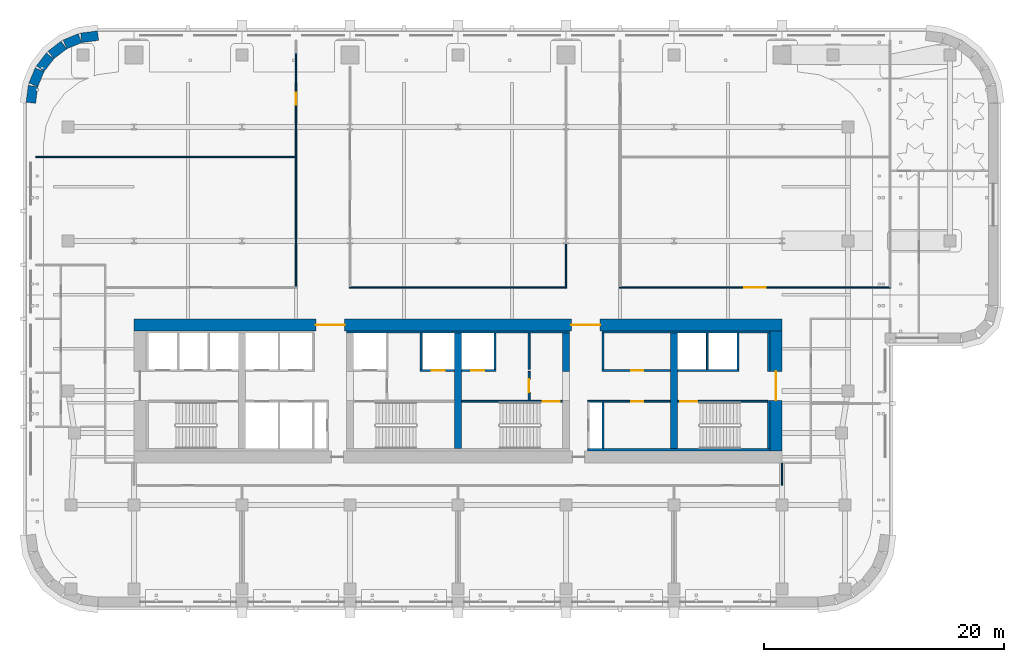
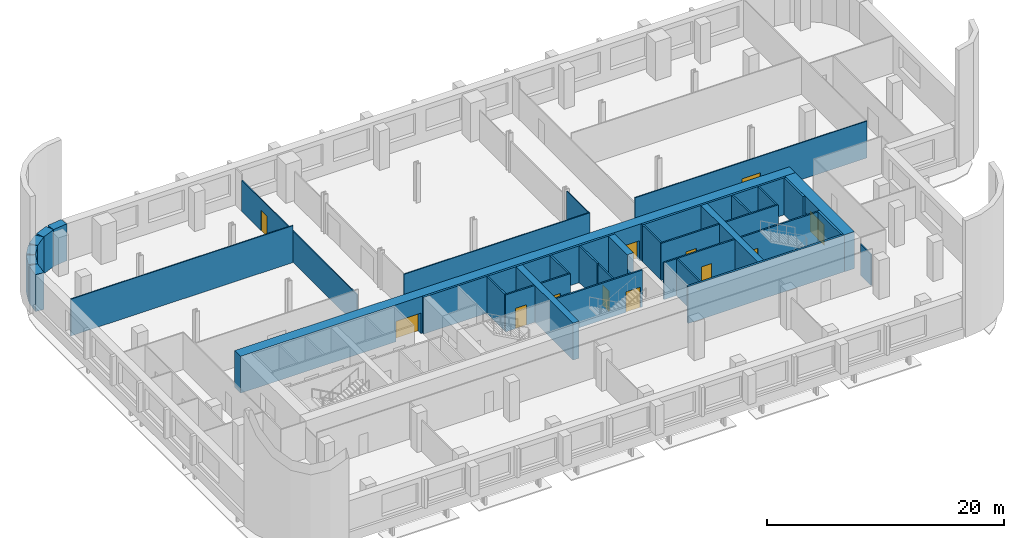
# One storey, part 5 of 13: 37 walls, 12 doors, 12 openings.
"""IFC4 building model written with IfcOpenShell, lengths in metres."""

from ifc_helpers import new_model, si_unit, direction, frame, frame_2d, origin, place, context, subcontext, project, spatial, rectangle, extrude, material, layer, layer_set, type_object, element, fill, save


model = new_model("IFC4")

# Units and contexts
model_context = context("Model", 3, precision=1e-05, world=origin(), true_north=direction((0.0, 1.0)))
body_context = subcontext(model_context, "Body", "Model", "MODEL_VIEW")
ifc_project = project(units=[si_unit("LENGTHUNIT", "METRE"), si_unit("AREAUNIT", "SQUARE_METRE"), si_unit("VOLUMEUNIT", "CUBIC_METRE"), si_unit("PLANEANGLEUNIT", "RADIAN"), si_unit("MASSUNIT", "GRAM", prefix="KILO")], contexts=[model_context])

# Site, building, storey
site_placement = place(None, origin())
site = spatial("IfcSite", under=ifc_project, at=site_placement, CompositionType="ELEMENT")
building_placement = place(site_placement, origin())
building = spatial("IfcBuilding", under=site, at=building_placement, Name="Zellij Exchange Tower", CompositionType="ELEMENT")
storey_placement = place(building_placement, frame((0.0, 0.0, 108.5)))
storey = spatial("IfcBuildingStorey", under=building, at=storey_placement, Name="L23", CompositionType="ELEMENT", Elevation=108.5)

# Walls
ifc_material_1 = material(Name="Concrete C70/85", Category="concrete")
ifc_layer_1 = layer(ifc_material_1, 0.60009765625)
ifc_layer_set_1 = layer_set([ifc_layer_1], Name="Concrete C70/85")
wall_type_1 = type_object("IfcWallType", Name="CORE-CW 600 C70/85", PredefinedType="SHEAR", material=ifc_layer_set_1)
wall_1_placement = place(storey_placement, frame((0.0, -12.800048828125, 0.0), z_axis=(0.0, 0.0, 1.0), x_axis=(0.0, 1.0, 0.0)))
element("IfcWall", 1, at=wall_1_placement, inside=storey, type_object=wall_type_1, Name="Core cross wall x 0 L23", PredefinedType="SHEAR", context=body_context, shape_type="SweptSolid", body=[
    extrude(rectangle(XDim=9.60009765625, YDim=0.60009765625, at=frame_2d((4.800048828125, 0.0))), origin(), (0.0, 0.0, 1.0), 3.800048828125),
])
wall_2_placement = place(storey_placement, frame((9.0, -6.375, 0.0), z_axis=(0.0, 0.0, 1.0), x_axis=(0.0, 1.0, 0.0)))
element("IfcWall", 2, at=wall_2_placement, inside=storey, type_object=wall_type_1, Name="Core cross wall pier x 9 b L23", PredefinedType="SHEAR", context=body_context, shape_type="SweptSolid", body=[
    extrude(rectangle(XDim=3.175048828125, YDim=0.60009765625, at=frame_2d((1.58740234375, 0.0))), origin(), (0.0, 0.0, 1.0), 3.800048828125),
])
wall_3_placement = place(storey_placement, frame((18.0, -12.800048828125, 0.0), z_axis=(0.0, 0.0, 1.0), x_axis=(0.0, 1.0, 0.0)))
element("IfcWall", 3, at=wall_3_placement, inside=storey, type_object=wall_type_1, Name="Core cross wall x 18 L23", PredefinedType="SHEAR", context=body_context, shape_type="SweptSolid", body=[
    extrude(rectangle(XDim=9.60009765625, YDim=0.60009765625, at=frame_2d((4.800048828125, 0.0))), origin(), (0.0, 0.0, 1.0), 3.800048828125),
])
ifc_material_2 = material(Name="Concrete C30/37", Category="concrete")
ifc_layer_2 = layer(ifc_material_2, 0.199951171875)
ifc_layer_set_2 = layer_set([ifc_layer_2], Name="Concrete C30/37")
wall_type_2 = type_object("IfcWallType", Name="CORE-LW 200 C30/37", PredefinedType="SHEAR", material=ifc_layer_set_2)
wall_4_placement = place(storey_placement, frame((-9.300048828125, -3.10009765625, 0.0), z_axis=(0.0, 0.0, 1.0), x_axis=(1.0, 0.0, 0.0)))
element("IfcWall", 4, at=wall_4_placement, inside=storey, type_object=wall_type_2, Name="Core wall lining front.1 L23", PredefinedType="SHEAR", context=body_context, shape_type="SweptSolid", body=[
    extrude(rectangle(XDim=18.60009765625, YDim=0.199951171875, at=frame_2d((9.300048828125, 0.0))), origin(), (0.0, 0.0, 1.0), 3.800048828125),
])
wall_5_placement = place(storey_placement, frame((12.0, -3.10009765625, 0.0), z_axis=(0.0, 0.0, 1.0), x_axis=(1.0, 0.0, 0.0)))
element("IfcWall", 5, at=wall_5_placement, inside=storey, type_object=wall_type_2, Name="Core wall lining front.2 L23", PredefinedType="SHEAR", context=body_context, shape_type="SweptSolid", body=[
    extrude(rectangle(XDim=14.0, YDim=0.199951171875, at=frame_2d((7.0, 0.0))), origin(), (0.0, 0.0, 1.0), 3.800048828125),
])
wall_6_placement = place(storey_placement, frame((10.800048828125, -12.89990234375, 0.0), z_axis=(0.0, 0.0, 1.0), x_axis=(1.0, 0.0, 0.0)))
element("IfcWall", 6, at=wall_6_placement, inside=storey, type_object=wall_type_2, Name="Core wall lining rear.2 L23", PredefinedType="SHEAR", context=body_context, shape_type="SweptSolid", body=[
    extrude(rectangle(XDim=15.199951171875, YDim=0.199951171875, at=frame_2d((7.60009765625, 0.0))), origin(), (0.0, 0.0, 1.0), 3.800048828125),
])
wall_7_placement = place(storey_placement, frame((25.89990234375, -12.800048828125, 0.0), z_axis=(0.0, 0.0, 1.0), x_axis=(0.0, 1.0, 0.0)))
element("IfcWall", 7, at=wall_7_placement, inside=storey, type_object=wall_type_2, Name="Core wall lining end e.0 L23", PredefinedType="SHEAR", context=body_context, shape_type="SweptSolid", body=[
    extrude(rectangle(XDim=4.0, YDim=0.199951171875, at=frame_2d((2.0, 0.0))), origin(), (0.0, 0.0, 1.0), 3.800048828125),
])
wall_8_placement = place(storey_placement, frame((25.89990234375, -6.375, 0.0), z_axis=(0.0, 0.0, 1.0), x_axis=(0.0, 1.0, 0.0)))
element("IfcWall", 8, at=wall_8_placement, inside=storey, type_object=wall_type_2, Name="Core wall lining end e.1 L23", PredefinedType="SHEAR", context=body_context, shape_type="SweptSolid", body=[
    extrude(rectangle(XDim=3.175048828125, YDim=0.199951171875, at=frame_2d((1.58740234375, 0.0))), origin(), (0.0, 0.0, 1.0), 3.800048828125),
])

# Wall, opening, door
ifc_material_3 = material(Name="Gypsum shaft wall system")
ifc_layer_3 = layer(ifc_material_3, 0.14990234375)
ifc_layer_set_3 = layer_set([ifc_layer_3], Name="Gypsum shaft wall system")
wall_type_3 = type_object("IfcWallType", Name="CORE-PW 150 Firefighting lobby wall", PredefinedType="PARTITIONING", material=ifc_layer_set_3)
wall_9_placement = place(storey_placement, frame((5.925048828125, -8.800048828125, 0.0), z_axis=(0.0, 0.0, 1.0), x_axis=(0.0, 1.0, 0.0)))
wall_9 = element("IfcWall", 9, at=wall_9_placement, inside=storey, type_object=wall_type_3, Name="Firefighting lobby wall L23", PredefinedType="PARTITIONING", context=body_context, shape_type="SweptSolid", body=[
    extrude(rectangle(XDim=2.425048828125, YDim=0.14990234375, at=frame_2d((1.21240234375, 0.0))), origin(), (0.0, 0.0, 1.0), 3.800048828125),
])
opening_1_placement = place(wall_9_placement, frame((0.662109375, 0.0, 0.0)))
opening_1 = element("IfcOpeningElement", 10, at=opening_1_placement, cuts=wall_9, Name="Opening CA-13.18", PredefinedType="OPENING", context=body_context, shape_type="SweptSolid", body=[
    extrude(rectangle(XDim=1.10009765625, YDim=2.10009765625, at=frame_2d((0.550048828125, 1.050048828125))), frame((0.0, 0.0869140625, 0.0), z_axis=(0.0, -1.0, 0.0), x_axis=(1.0, 0.0, 0.0)), (0.0, 0.0, 1.0), 0.173828125),
])
ifc_material_4 = material(Name="Hollow metal fire door")
door_type_1 = type_object("IfcDoorType", Name="CORE-D F Firefighting lobby door 1100x2100 1 HR", OperationType="NOTDEFINED", PredefinedType="DOOR", material=ifc_material_4)
door_1_placement = place(opening_1_placement, origin())
door_1 = element("IfcDoor", 11, at=door_1_placement, inside=storey, type_object=door_type_1, Name="Firefighting lobby door CA-13.18", OperationType="SINGLE_SWING_RIGHT", OverallHeight=2.10009765625, OverallWidth=1.10009765625, PredefinedType="DOOR", context=body_context, shape_type="SweptSolid", body=[
    extrude(rectangle(XDim=1.10009765625, YDim=2.10009765625, at=frame_2d((0.550048828125, 1.050048828125))), frame((0.0, 0.02490234375, 0.0), z_axis=(0.0, -1.0, 0.0), x_axis=(1.0, 0.0, 0.0)), (0.0, 0.0, 1.0), 0.050048828125),
])
fill(opening_1, door_1)

# Walls
ifc_material_5 = material(Name="Gypsum board partition")
ifc_layer_4 = layer(ifc_material_5, 0.14990234375)
ifc_layer_set_4 = layer_set([ifc_layer_4], Name="Gypsum board partition")
wall_type_4 = type_object("IfcWallType", Name="CORE-PW 150 Lift lobby wall", PredefinedType="PARTITIONING", material=ifc_layer_set_4)
for number, where, z_axis, x_axis, name in (
    (12, (5.925048828125, -6.22509765625, 0.0), (0.0, 0.0, 1.0), (0.0, 1.0, 0.0), "Lift lobby wall L23"),
    (13, (12.074951171875, -6.22509765625, 0.0), (0.0, 0.0, 1.0), (0.0, 1.0, 0.0), "Lift lobby wall L23"),
):
    element("IfcWall", number, at=place(storey_placement, frame(where, z_axis=z_axis, x_axis=x_axis)), inside=storey, type_object=wall_type_4, Name=name, PredefinedType="PARTITIONING", context=body_context, shape_type="SweptSolid", body=[
        extrude(rectangle(XDim=3.025146484375, YDim=0.14990234375, at=frame_2d((1.5126953125, 0.0))), origin(), (0.0, 0.0, 1.0), 3.800048828125),
    ])
wall_10_placement = place(storey_placement, frame((12.074951171875, -12.800048828125, 0.0), z_axis=(0.0, 0.0, 1.0), x_axis=(0.0, 1.0, 0.0)))
element("IfcWall", 14, at=wall_10_placement, inside=storey, type_object=wall_type_4, Name="Lift lobby wall L23", PredefinedType="PARTITIONING", context=body_context, shape_type="SweptSolid", body=[
    extrude(rectangle(XDim=3.85009765625, YDim=0.14990234375, at=frame_2d((1.925048828125, 0.0))), origin(), (0.0, 0.0, 1.0), 3.800048828125),
])

# Wall, opening, door
wall_11_placement = place(storey_placement, frame((12.0, -6.300048828125, 0.0), z_axis=(0.0, 0.0, 1.0), x_axis=(1.0, 0.0, 0.0)))
wall_11 = element("IfcWall", 15, at=wall_11_placement, inside=storey, type_object=wall_type_4, Name="Lift lobby wall L23", PredefinedType="PARTITIONING", context=body_context, shape_type="SweptSolid", body=[
    extrude(rectangle(XDim=5.699951171875, YDim=0.14990234375, at=frame_2d((2.85009765625, 0.0))), origin(), (0.0, 0.0, 1.0), 3.800048828125),
])
opening_2_placement = place(wall_11_placement, frame((2.425048828125, 0.0, 0.0)))
opening_2 = element("IfcOpeningElement", 16, at=opening_2_placement, cuts=wall_11, Name="Opening CA-13.24", PredefinedType="OPENING", context=body_context, shape_type="SweptSolid", body=[
    extrude(rectangle(XDim=1.0, YDim=2.10009765625, at=frame_2d((0.5, 1.050048828125))), frame((0.0, 0.0869140625, 0.0), z_axis=(0.0, -1.0, 0.0), x_axis=(1.0, 0.0, 0.0)), (0.0, 0.0, 1.0), 0.173828125),
])
door_type_2 = type_object("IfcDoorType", Name="CORE-D CD Core room door 1000x2100 1 HR", OperationType="NOTDEFINED", PredefinedType="DOOR", material=ifc_material_4)
door_2_placement = place(opening_2_placement, origin())
door_2 = element("IfcDoor", 17, at=door_2_placement, inside=storey, type_object=door_type_2, Name="Core room door CA-13.24", OperationType="SINGLE_SWING_RIGHT", OverallHeight=2.10009765625, OverallWidth=1.0, PredefinedType="DOOR", context=body_context, shape_type="SweptSolid", body=[
    extrude(rectangle(XDim=1.0, YDim=2.10009765625, at=frame_2d((0.5, 1.050048828125))), frame((0.0, 0.02490234375, 0.0), z_axis=(0.0, -1.0, 0.0), x_axis=(1.0, 0.0, 0.0)), (0.0, 0.0, 1.0), 0.050048828125),
])
fill(opening_2, door_2)

wall_12_placement = place(storey_placement, frame((10.800048828125, -8.875, 0.0), z_axis=(0.0, 0.0, 1.0), x_axis=(1.0, 0.0, 0.0)))
wall_12 = element("IfcWall", 18, at=wall_12_placement, inside=storey, type_object=wall_type_4, Name="Lift lobby wall L23", PredefinedType="PARTITIONING", context=body_context, shape_type="SweptSolid", body=[
    extrude(rectangle(XDim=6.89990234375, YDim=0.14990234375, at=frame_2d((3.449951171875, 0.0))), origin(), (0.0, 0.0, 1.0), 3.800048828125),
])
opening_3_placement = place(wall_12_placement, frame((3.625, 0.0, 0.0)))
opening_3 = element("IfcOpeningElement", 19, at=opening_3_placement, cuts=wall_12, Name="Opening CA-13.23", PredefinedType="OPENING", context=body_context, shape_type="SweptSolid", body=[
    extrude(rectangle(XDim=1.0, YDim=2.10009765625, at=frame_2d((0.5, 1.050048828125))), frame((0.0, 0.0869140625, 0.0), z_axis=(0.0, -1.0, 0.0), x_axis=(1.0, 0.0, 0.0)), (0.0, 0.0, 1.0), 0.173828125),
])
door_3_placement = place(opening_3_placement, origin())
door_3 = element("IfcDoor", 20, at=door_3_placement, inside=storey, type_object=door_type_2, Name="Core room door CA-13.23", OperationType="SINGLE_SWING_LEFT", OverallHeight=2.10009765625, OverallWidth=1.0, PredefinedType="DOOR", context=body_context, shape_type="SweptSolid", body=[
    extrude(rectangle(XDim=1.0, YDim=2.10009765625, at=frame_2d((0.5, 1.050048828125))), frame((0.0, 0.02490234375, 0.0), z_axis=(0.0, -1.0, 0.0), x_axis=(1.0, 0.0, 0.0)), (0.0, 0.0, 1.0), 0.050048828125),
])
fill(opening_3, door_3)

# Walls
ifc_layer_5 = layer(ifc_material_3, 0.14990234375)
ifc_layer_set_5 = layer_set([ifc_layer_5], Name="Gypsum shaft wall system")
wall_type_5 = type_object("IfcWallType", Name="CORE-PW 150 Lift shaft wall", PredefinedType="PARTITIONING", material=ifc_layer_set_5)
for number, where, z_axis, x_axis, name in (
    (21, (-3.074951171875, -6.22509765625, 0.0), (0.0, 0.0, 1.0), (0.0, 1.0, 0.0), "Lift shaft wall L23"),
    (22, (3.074951171875, -6.22509765625, 0.0), (0.0, 0.0, 1.0), (0.0, 1.0, 0.0), "Lift shaft wall L23"),
    (23, (20.77490234375, -6.22509765625, 0.0), (0.0, 0.0, 1.0), (0.0, 1.0, 0.0), "Lift shaft wall L23"),
    (24, (23.324951171875, -6.22509765625, 0.0), (0.0, 0.0, 1.0), (0.0, 1.0, 0.0), "Lift shaft wall L23"),
):
    element("IfcWall", number, at=place(storey_placement, frame(where, z_axis=z_axis, x_axis=x_axis)), inside=storey, type_object=wall_type_5, Name=name, PredefinedType="PARTITIONING", context=body_context, shape_type="SweptSolid", body=[
        extrude(rectangle(XDim=3.025146484375, YDim=0.14990234375, at=frame_2d((1.5126953125, 0.0))), origin(), (0.0, 0.0, 1.0), 3.800048828125),
    ])

# Wall, opening, door
wall_13_placement = place(storey_placement, frame((-3.14990234375, -6.300048828125, 0.0), z_axis=(0.0, 0.0, 1.0), x_axis=(1.0, 0.0, 0.0)))
wall_13 = element("IfcWall", 25, at=wall_13_placement, inside=storey, type_object=wall_type_5, Name="Lift shaft wall L23", PredefinedType="PARTITIONING", context=body_context, shape_type="SweptSolid", body=[
    extrude(rectangle(XDim=2.849853515625, YDim=0.14990234375, at=frame_2d((1.4248046875, 0.0))), origin(), (0.0, 0.0, 1.0), 3.800048828125),
])
opening_4_placement = place(wall_13_placement, frame((0.949951171875, 0.0, 0.0)))
opening_4 = element("IfcOpeningElement", 26, at=opening_4_placement, cuts=wall_13, Name="Opening CA-13.16", PredefinedType="OPENING", context=body_context, shape_type="SweptSolid", body=[
    extrude(rectangle(XDim=1.10009765625, YDim=2.10009765625, at=frame_2d((0.550048828125, 1.050048828125))), frame((0.0, 0.0869140625, 0.0), z_axis=(0.0, -1.0, 0.0), x_axis=(1.0, 0.0, 0.0)), (0.0, 0.0, 1.0), 0.173828125),
])
door_type_3 = type_object("IfcDoorType", Name="CORE-D LD Lift landing door 1100x2100 1.5 HR", OperationType="NOTDEFINED", PredefinedType="DOOR", material=ifc_material_4)
door_4_placement = place(opening_4_placement, origin())
door_4 = element("IfcDoor", 27, at=door_4_placement, inside=storey, type_object=door_type_3, Name="Lift landing door CA-13.16", OperationType="SLIDING_TO_RIGHT", OverallHeight=2.10009765625, OverallWidth=1.10009765625, PredefinedType="DOOR", context=body_context, shape_type="SweptSolid", body=[
    extrude(rectangle(XDim=1.10009765625, YDim=2.10009765625, at=frame_2d((0.550048828125, 1.050048828125))), frame((0.0, 0.02490234375, 0.0), z_axis=(0.0, -1.0, 0.0), x_axis=(1.0, 0.0, 0.0)), (0.0, 0.0, 1.0), 0.050048828125),
])
fill(opening_4, door_4)

wall_14_placement = place(storey_placement, frame((0.300048828125, -6.300048828125, 0.0), z_axis=(0.0, 0.0, 1.0), x_axis=(1.0, 0.0, 0.0)))
wall_14 = element("IfcWall", 28, at=wall_14_placement, inside=storey, type_object=wall_type_5, Name="Lift shaft wall L23", PredefinedType="PARTITIONING", context=body_context, shape_type="SweptSolid", body=[
    extrude(rectangle(XDim=2.849853515625, YDim=0.14990234375, at=frame_2d((1.4248046875, 0.0))), origin(), (0.0, 0.0, 1.0), 3.800048828125),
])
opening_5_placement = place(wall_14_placement, frame((0.800048828125, 0.0, 0.0)))
opening_5 = element("IfcOpeningElement", 29, at=opening_5_placement, cuts=wall_14, Name="Opening CA-13.17", PredefinedType="OPENING", context=body_context, shape_type="SweptSolid", body=[
    extrude(rectangle(XDim=1.10009765625, YDim=2.10009765625, at=frame_2d((0.550048828125, 1.050048828125))), frame((0.0, 0.0869140625, 0.0), z_axis=(0.0, -1.0, 0.0), x_axis=(1.0, 0.0, 0.0)), (0.0, 0.0, 1.0), 0.173828125),
])
door_5_placement = place(opening_5_placement, origin())
door_5 = element("IfcDoor", 30, at=door_5_placement, inside=storey, type_object=door_type_3, Name="Lift landing door CA-13.17", OperationType="SLIDING_TO_LEFT", OverallHeight=2.10009765625, OverallWidth=1.10009765625, PredefinedType="DOOR", context=body_context, shape_type="SweptSolid", body=[
    extrude(rectangle(XDim=1.10009765625, YDim=2.10009765625, at=frame_2d((0.550048828125, 1.050048828125))), frame((0.0, 0.02490234375, 0.0), z_axis=(0.0, -1.0, 0.0), x_axis=(1.0, 0.0, 0.0)), (0.0, 0.0, 1.0), 0.050048828125),
])
fill(opening_5, door_5)

# Wall
wall_15_placement = place(storey_placement, frame((18.300048828125, -6.300048828125, 0.0), z_axis=(0.0, 0.0, 1.0), x_axis=(1.0, 0.0, 0.0)))
element("IfcWall", 31, at=wall_15_placement, inside=storey, type_object=wall_type_5, Name="Lift shaft wall L23", PredefinedType="PARTITIONING", context=body_context, shape_type="SweptSolid", body=[
    extrude(rectangle(XDim=5.099853515625, YDim=0.14990234375, at=frame_2d((2.5498046875, 0.0))), origin(), (0.0, 0.0, 1.0), 3.800048828125),
])

# Wall, openings, doors
ifc_layer_6 = layer(ifc_material_1, 1.0)
ifc_layer_set_6 = layer_set([ifc_layer_6], Name="Concrete C70/85")
wall_type_6 = type_object("IfcWallType", Name="CORE-SW 1000 C70/85", PredefinedType="SHEAR", material=ifc_layer_set_6)
wall_16_placement = place(storey_placement, frame((-27.0, -2.5, 0.0), z_axis=(0.0, 0.0, 1.0), x_axis=(1.0, 0.0, 0.0)))
wall_16 = element("IfcWall", 32, at=wall_16_placement, inside=storey, type_object=wall_type_6, Name="Core shear wall front L23", PredefinedType="SHEAR", context=body_context, shape_type="SweptSolid", body=[
    extrude(rectangle(XDim=54.0, YDim=1.0, at=frame_2d((27.0, 0.0))), origin(), (0.0, 0.0, 1.0), 3.800048828125),
])
opening_6_placement = place(wall_16_placement, frame((15.14990234375, 0.0, 0.0)))
opening_6 = element("IfcOpeningElement", 33, at=opening_6_placement, cuts=wall_16, Name="Opening CA-13.11", PredefinedType="OPENING", context=body_context, shape_type="SweptSolid", body=[
    extrude(rectangle(XDim=2.39990234375, YDim=2.10009765625, at=frame_2d((1.199951171875, 1.050048828125))), frame((0.0, 0.511962890625, 0.0), z_axis=(0.0, -1.0, 0.0), x_axis=(1.0, 0.0, 0.0)), (0.0, 0.0, 1.0), 1.02392578125),
])
opening_7_placement = place(wall_16_placement, frame((36.449951171875, 0.0, 0.0)))
opening_7 = element("IfcOpeningElement", 34, at=opening_7_placement, cuts=wall_16, Name="Opening CA-13.21", PredefinedType="OPENING", context=body_context, shape_type="SweptSolid", body=[
    extrude(rectangle(XDim=2.39990234375, YDim=2.10009765625, at=frame_2d((1.199951171875, 1.050048828125))), frame((0.0, 0.511962890625, 0.0), z_axis=(0.0, -1.0, 0.0), x_axis=(1.0, 0.0, 0.0)), (0.0, 0.0, 1.0), 1.02392578125),
])
door_type_4 = type_object("IfcDoorType", Name="CORE-D CE Core entrance door 2400x2100 20 MIN", OperationType="NOTDEFINED", PredefinedType="DOOR", material=ifc_material_4)
door_6_placement = place(opening_6_placement, origin())
door_6 = element("IfcDoor", 35, at=door_6_placement, inside=storey, type_object=door_type_4, Name="Core entrance door CA-13.11", OperationType="DOUBLE_DOOR_SINGLE_SWING", OverallHeight=2.10009765625, OverallWidth=2.39990234375, PredefinedType="DOOR", context=body_context, shape_type="SweptSolid", body=[
    extrude(rectangle(XDim=2.39990234375, YDim=2.10009765625, at=frame_2d((1.199951171875, 1.050048828125))), frame((0.0, 0.02490234375, 0.0), z_axis=(0.0, -1.0, 0.0), x_axis=(1.0, 0.0, 0.0)), (0.0, 0.0, 1.0), 0.050048828125),
])
fill(opening_6, door_6)
door_7_placement = place(opening_7_placement, origin())
door_7 = element("IfcDoor", 36, at=door_7_placement, inside=storey, type_object=door_type_4, Name="Core entrance door CA-13.21", OperationType="DOUBLE_DOOR_SINGLE_SWING", OverallHeight=2.10009765625, OverallWidth=2.39990234375, PredefinedType="DOOR", context=body_context, shape_type="SweptSolid", body=[
    extrude(rectangle(XDim=2.39990234375, YDim=2.10009765625, at=frame_2d((1.199951171875, 1.050048828125))), frame((0.0, 0.02490234375, 0.0), z_axis=(0.0, -1.0, 0.0), x_axis=(1.0, 0.0, 0.0)), (0.0, 0.0, 1.0), 0.050048828125),
])
fill(opening_7, door_7)

# Wall, opening, door
wall_17_placement = place(storey_placement, frame((26.5, -13.0, 0.0), z_axis=(0.0, 0.0, 1.0), x_axis=(0.0, 1.0, 0.0)))
wall_17 = element("IfcWall", 37, at=wall_17_placement, inside=storey, type_object=wall_type_6, Name="Core shear wall end e L23", PredefinedType="SHEAR", context=body_context, shape_type="SweptSolid", body=[
    extrude(rectangle(XDim=10.0, YDim=1.0, at=frame_2d((5.0, 0.0))), origin(), (0.0, 0.0, 1.0), 3.800048828125),
])
opening_8_placement = place(wall_17_placement, frame((4.2119140625, 0.0, 0.0)))
opening_8 = element("IfcOpeningElement", 38, at=opening_8_placement, cuts=wall_17, Name="Opening CA-13.26", PredefinedType="OPENING", context=body_context, shape_type="SweptSolid", body=[
    extrude(rectangle(XDim=2.39990234375, YDim=2.10009765625, at=frame_2d((1.199951171875, 1.050048828125))), frame((0.0, 0.511962890625, 0.0), z_axis=(0.0, -1.0, 0.0), x_axis=(1.0, 0.0, 0.0)), (0.0, 0.0, 1.0), 1.02392578125),
])
door_8_placement = place(opening_8_placement, origin())
door_8 = element("IfcDoor", 39, at=door_8_placement, inside=storey, type_object=door_type_4, Name="Core entrance door CA-13.26", OperationType="DOUBLE_DOOR_SINGLE_SWING", OverallHeight=2.10009765625, OverallWidth=2.39990234375, PredefinedType="DOOR", context=body_context, shape_type="SweptSolid", body=[
    extrude(rectangle(XDim=2.39990234375, YDim=2.10009765625, at=frame_2d((1.199951171875, 1.050048828125))), frame((0.0, 0.02490234375, 0.0), z_axis=(0.0, -1.0, 0.0), x_axis=(1.0, 0.0, 0.0)), (0.0, 0.0, 1.0), 0.050048828125),
])
fill(opening_8, door_8)

ifc_layer_7 = layer(ifc_material_1, 0.14990234375)
ifc_layer_set_7 = layer_set([ifc_layer_7], Name="Concrete C70/85")
wall_type_7 = type_object("IfcWallType", Name="CORE-SWS 150 C70/85", PredefinedType="SHEAR", material=ifc_layer_set_7)
wall_18_placement = place(storey_placement, frame((0.300048828125, -8.875, 0.0), z_axis=(0.0, 0.0, 1.0), x_axis=(1.0, 0.0, 0.0)))
wall_18 = element("IfcWall", 40, at=wall_18_placement, inside=storey, type_object=wall_type_7, Name="Stair enclosure wall L23", PredefinedType="SHEAR", context=body_context, shape_type="SweptSolid", body=[
    extrude(rectangle(XDim=8.39990234375, YDim=0.14990234375, at=frame_2d((4.199951171875, 0.0))), origin(), (0.0, 0.0, 1.0), 3.800048828125),
])
opening_9_placement = place(wall_18_placement, frame((6.77490234375, 0.0, 0.0)))
opening_9 = element("IfcOpeningElement", 41, at=opening_9_placement, cuts=wall_18, Name="Opening CA-13.19", PredefinedType="OPENING", context=body_context, shape_type="SweptSolid", body=[
    extrude(rectangle(XDim=1.39990234375, YDim=2.10009765625, at=frame_2d((0.699951171875, 1.050048828125))), frame((0.0, 0.0869140625, 0.0), z_axis=(0.0, -1.0, 0.0), x_axis=(1.0, 0.0, 0.0)), (0.0, 0.0, 1.0), 0.173828125),
])
door_type_5 = type_object("IfcDoorType", Name="CORE-D SD Stair door 1400x2100 1.5 HR", OperationType="NOTDEFINED", PredefinedType="DOOR", material=ifc_material_4)
door_9_placement = place(opening_9_placement, origin())
door_9 = element("IfcDoor", 42, at=door_9_placement, inside=storey, type_object=door_type_5, Name="Stair door CA-13.19", OperationType="DOUBLE_DOOR_SINGLE_SWING", OverallHeight=2.10009765625, OverallWidth=1.39990234375, PredefinedType="DOOR", context=body_context, shape_type="SweptSolid", body=[
    extrude(rectangle(XDim=1.39990234375, YDim=2.10009765625, at=frame_2d((0.699951171875, 1.050048828125))), frame((0.0, 0.02490234375, 0.0), z_axis=(0.0, -1.0, 0.0), x_axis=(1.0, 0.0, 0.0)), (0.0, 0.0, 1.0), 0.050048828125),
])
fill(opening_9, door_9)

wall_19_placement = place(storey_placement, frame((18.300048828125, -8.875, 0.0), z_axis=(0.0, 0.0, 1.0), x_axis=(1.0, 0.0, 0.0)))
wall_19 = element("IfcWall", 43, at=wall_19_placement, inside=storey, type_object=wall_type_7, Name="Stair enclosure wall L23", PredefinedType="SHEAR", context=body_context, shape_type="SweptSolid", body=[
    extrude(rectangle(XDim=7.5, YDim=0.14990234375, at=frame_2d((3.75, 0.0))), origin(), (0.0, 0.0, 1.0), 3.800048828125),
])
opening_10_placement = place(wall_19_placement, frame((0.22509765625, 0.0, 0.0)))
opening_10 = element("IfcOpeningElement", 44, at=opening_10_placement, cuts=wall_19, Name="Opening CA-13.25", PredefinedType="OPENING", context=body_context, shape_type="SweptSolid", body=[
    extrude(rectangle(XDim=1.39990234375, YDim=2.10009765625, at=frame_2d((0.699951171875, 1.050048828125))), frame((0.0, 0.0869140625, 0.0), z_axis=(0.0, -1.0, 0.0), x_axis=(1.0, 0.0, 0.0)), (0.0, 0.0, 1.0), 0.173828125),
])
door_10_placement = place(opening_10_placement, origin())
door_10 = element("IfcDoor", 45, at=door_10_placement, inside=storey, type_object=door_type_5, Name="Stair door CA-13.25", OperationType="DOUBLE_DOOR_SINGLE_SWING", OverallHeight=2.10009765625, OverallWidth=1.39990234375, PredefinedType="DOOR", context=body_context, shape_type="SweptSolid", body=[
    extrude(rectangle(XDim=1.39990234375, YDim=2.10009765625, at=frame_2d((0.699951171875, 1.050048828125))), frame((0.0, 0.02490234375, 0.0), z_axis=(0.0, -1.0, 0.0), x_axis=(1.0, 0.0, 0.0)), (0.0, 0.0, 1.0), 0.050048828125),
])
fill(opening_10, door_10)

# Walls
ifc_material_6 = material(Name="Precast concrete C40/50", Category="concrete")
ifc_layer_8 = layer(ifc_material_6, 0.800048828125)
ifc_layer_set_8 = layer_set([ifc_layer_8], Name="Precast concrete C40/50")
wall_type_8 = type_object("IfcWallType", Name="ENV-EW1 Precast stone-piered wall 800", PredefinedType="SOLIDWALL", material=ifc_layer_set_8)
wall_20_placement = place(storey_placement, frame((-29.999755859375, 21.5966796875, 0.0), z_axis=(0.0, 0.0, 1.0), x_axis=(-0.99144603414, -0.130517283865, 0.0)))
element("IfcWall", 46, at=wall_20_placement, inside=storey, type_object=wall_type_8, Name="fac.L23.20", PredefinedType="SOLIDWALL", context=body_context, shape_type="SweptSolid", body=[
    extrude(rectangle(XDim=1.408447265625, YDim=0.800048828125, at=frame_2d((0.7041015625, 0.0))), origin(), (0.0, 0.0, 1.0), 3.800048828125),
])
wall_21_placement = place(storey_placement, frame((-31.497314453125, 21.3857421875, 0.0), z_axis=(0.0, 0.0, 1.0), x_axis=(-0.923847774587, -0.38276009378, 0.0)))
element("IfcWall", 47, at=wall_21_placement, inside=storey, type_object=wall_type_8, Name="fac.L23.21", PredefinedType="SOLIDWALL", context=body_context, shape_type="SweptSolid", body=[
    extrude(rectangle(XDim=1.35546875, YDim=0.800048828125, at=frame_2d((0.677734375, 0.0))), origin(), (0.0, 0.0, 1.0), 3.800048828125),
])
for number, where, z_axis, x_axis, name in (
    (48, (-32.840087890625, 20.814697265625, 0.0), (0.0, 0.0, 1.0), (-0.793272915452, -0.608866226366, 0.0), "fac.L23.22"),
    (49, (-33.9892578125, 19.91552734375, 0.0), (0.0, 0.0, 1.0), (-0.608866226366, -0.793272915452, 0.0), "fac.L23.23"),
):
    element("IfcWall", number, at=place(storey_placement, frame(where, z_axis=z_axis, x_axis=x_axis)), inside=storey, type_object=wall_type_8, Name=name, PredefinedType="SOLIDWALL", context=body_context, shape_type="SweptSolid", body=[
        extrude(rectangle(XDim=1.355712890625, YDim=0.800048828125, at=frame_2d((0.677734375, 0.0))), origin(), (0.0, 0.0, 1.0), 3.800048828125),
    ])
wall_22_placement = place(storey_placement, frame((-34.866943359375, 18.74951171875, 0.0), z_axis=(0.0, 0.0, 1.0), x_axis=(-0.38276009378, -0.923847774587, 0.0)))
element("IfcWall", 50, at=wall_22_placement, inside=storey, type_object=wall_type_8, Name="fac.L23.24", PredefinedType="SOLIDWALL", context=body_context, shape_type="SweptSolid", body=[
    extrude(rectangle(XDim=1.35546875, YDim=0.800048828125, at=frame_2d((0.677734375, 0.0))), origin(), (0.0, 0.0, 1.0), 3.800048828125),
])
wall_23_placement = place(storey_placement, frame((-35.412841796875, 17.396240234375, 0.0), z_axis=(0.0, 0.0, 1.0), x_axis=(-0.130517283865, -0.99144603414, 0.0)))
element("IfcWall", 51, at=wall_23_placement, inside=storey, type_object=wall_type_8, Name="fac.L23.25", PredefinedType="SOLIDWALL", context=body_context, shape_type="SweptSolid", body=[
    extrude(rectangle(XDim=1.408447265625, YDim=0.800048828125, at=frame_2d((0.7041015625, 0.0))), origin(), (0.0, 0.0, 1.0), 3.800048828125),
])
ifc_material_7 = material(Name="Gypsum board partition on steel studs", Category="steel")
ifc_layer_9 = layer(ifc_material_7, 0.10009765625)
ifc_layer_set_9 = layer_set([ifc_layer_9], Name="Gypsum board partition on steel studs")
wall_type_9 = type_object("IfcWallType", Name="FIT-PARTITION-100", PredefinedType="PARTITIONING", material=ifc_layer_set_9)
wall_24_placement = place(storey_placement, frame((27.0, -15.85009765625, 0.0), z_axis=(0.0, 0.0, 1.0), x_axis=(0.0, 1.0, 0.0)))
element("IfcWall", 52, at=wall_24_placement, inside=storey, type_object=wall_type_9, Name="FIT-PARTITION-100 009", PredefinedType="PARTITIONING", context=body_context, shape_type="SweptSolid", body=[
    extrude(rectangle(XDim=1.800048828125, YDim=0.10009765625, at=frame_2d((0.89990234375, 0.0))), origin(), (0.0, 0.0, 1.0), 3.18798828125),
])

# Wall, opening, door
wall_25_placement = place(storey_placement, frame((-13.5, 0.64990234375, 0.0), z_axis=(0.0, 0.0, 1.0), x_axis=(0.0, 1.0, 0.0)))
wall_25 = element("IfcWall", 53, at=wall_25_placement, inside=storey, type_object=wall_type_9, Name="FIT-PARTITION-100 024", PredefinedType="PARTITIONING", context=body_context, shape_type="SweptSolid", body=[
    extrude(rectangle(XDim=19.464599609375, YDim=0.10009765625, at=frame_2d((9.732421875, 0.0))), origin(), (0.0, 0.0, 1.0), 3.197998046875),
])
opening_11_placement = place(wall_25_placement, frame((15.179931640625, 0.0, 0.0)))
opening_11 = element("IfcOpeningElement", 54, at=opening_11_placement, cuts=wall_25, Name="Opening TE.16", PredefinedType="OPENING", context=body_context, shape_type="SweptSolid", body=[
    extrude(rectangle(XDim=1.0, YDim=2.10009765625, at=frame_2d((0.5, 1.050048828125))), frame((0.0, 0.06201171875, 0.0), z_axis=(0.0, -1.0, 0.0), x_axis=(1.0, 0.0, 0.0)), (0.0, 0.0, 1.0), 0.1240234375),
])
ifc_material_8 = material(Name="Timber door set", Category="wood")
door_type_6 = type_object("IfcDoorType", Name="FIT-D2-WIDE-1000X2100", OperationType="SINGLE_SWING_LEFT", PredefinedType="DOOR", material=ifc_material_8)
door_11_placement = place(opening_11_placement, origin())
door_11 = element("IfcDoor", 55, at=door_11_placement, inside=storey, type_object=door_type_6, Name="Door TE.16", OperationType="SINGLE_SWING_RIGHT", OverallHeight=2.10009765625, OverallWidth=1.0, PredefinedType="DOOR", context=body_context, shape_type="SweptSolid", body=[
    extrude(rectangle(XDim=1.0, YDim=2.10009765625, at=frame_2d((0.5, 1.050048828125))), frame((0.0, 0.02490234375, 0.0), z_axis=(0.0, -1.0, 0.0), x_axis=(1.0, 0.0, 0.0)), (0.0, 0.0, 1.0), 0.050048828125),
])
fill(opening_11, door_11)

# Walls
wall_26_placement = place(storey_placement, frame((-9.050048828125, 0.60009765625, 0.0), z_axis=(0.0, 0.0, 1.0), x_axis=(1.0, 0.0, 0.0)))
element("IfcWall", 56, at=wall_26_placement, inside=storey, type_object=wall_type_9, Name="FIT-PARTITION-100 026", PredefinedType="PARTITIONING", context=body_context, shape_type="SweptSolid", body=[
    extrude(rectangle(XDim=18.10009765625, YDim=0.10009765625, at=frame_2d((9.050048828125, 0.0))), origin(), (0.0, 0.0, 1.0), 3.800048828125),
])
wall_27_placement = place(storey_placement, frame((9.0, 0.64990234375, 0.0), z_axis=(0.0, 0.0, 1.0), x_axis=(0.0, 1.0, 0.0)))
element("IfcWall", 57, at=wall_27_placement, inside=storey, type_object=wall_type_9, Name="FIT-PARTITION-100 030", PredefinedType="PARTITIONING", context=body_context, shape_type="SweptSolid", body=[
    extrude(rectangle(XDim=3.622802734375, YDim=0.10009765625, at=frame_2d((1.8115234375, 0.0))), origin(), (0.0, 0.0, 1.0), 3.800048828125),
])

# Wall, opening, door
wall_28_placement = place(storey_placement, frame((13.449951171875, 0.60009765625, 0.0), z_axis=(0.0, 0.0, 1.0), x_axis=(1.0, 0.0, 0.0)))
wall_28 = element("IfcWall", 58, at=wall_28_placement, inside=storey, type_object=wall_type_9, Name="FIT-PARTITION-100 033", PredefinedType="PARTITIONING", context=body_context, shape_type="SweptSolid", body=[
    extrude(rectangle(XDim=22.60009765625, YDim=0.10009765625, at=frame_2d((11.300048828125, 0.0))), origin(), (0.0, 0.0, 1.0), 3.800048828125),
])
opening_12_placement = place(wall_28_placement, frame((10.39990234375, 0.0, 0.0)))
opening_12 = element("IfcOpeningElement", 59, at=opening_12_placement, cuts=wall_28, Name="Opening TE.11", PredefinedType="OPENING", context=body_context, shape_type="SweptSolid", body=[
    extrude(rectangle(XDim=1.800048828125, YDim=2.10009765625, at=frame_2d((0.89990234375, 1.050048828125))), frame((0.0, 0.06201171875, 0.0), z_axis=(0.0, -1.0, 0.0), x_axis=(1.0, 0.0, 0.0)), (0.0, 0.0, 1.0), 0.1240234375),
])
door_type_7 = type_object("IfcDoorType", Name="FIT-D3-DOUBLE-1800X2100", OperationType="DOUBLE_DOOR_SINGLE_SWING", PredefinedType="DOOR", material=ifc_material_8)
door_12_placement = place(opening_12_placement, origin())
door_12 = element("IfcDoor", 60, at=door_12_placement, inside=storey, type_object=door_type_7, Name="Door TE.11", OperationType="DOUBLE_DOOR_SINGLE_SWING", OverallHeight=2.10009765625, OverallWidth=1.800048828125, PredefinedType="DOOR", context=body_context, shape_type="SweptSolid", body=[
    extrude(rectangle(XDim=1.800048828125, YDim=2.10009765625, at=frame_2d((0.89990234375, 1.050048828125))), frame((0.0, 0.02490234375, 0.0), z_axis=(0.0, -1.0, 0.0), x_axis=(1.0, 0.0, 0.0)), (0.0, 0.0, 1.0), 0.050048828125),
])
fill(opening_12, door_12)

# Wall
wall_29_placement = place(storey_placement, frame((-35.199951171875, 11.47998046875, 0.0), z_axis=(0.0, 0.0, 1.0), x_axis=(1.0, 0.0, 0.0)))
element("IfcWall", 61, at=wall_29_placement, inside=storey, type_object=wall_type_9, Name="FIT-PARTITION-100 039", PredefinedType="PARTITIONING", context=body_context, shape_type="SweptSolid", body=[
    extrude(rectangle(XDim=21.64990234375, YDim=0.10009765625, at=frame_2d((10.824951171875, 0.0))), origin(), (0.0, 0.0, 1.0), 3.800048828125),
])

save(model, "model.ifc")
